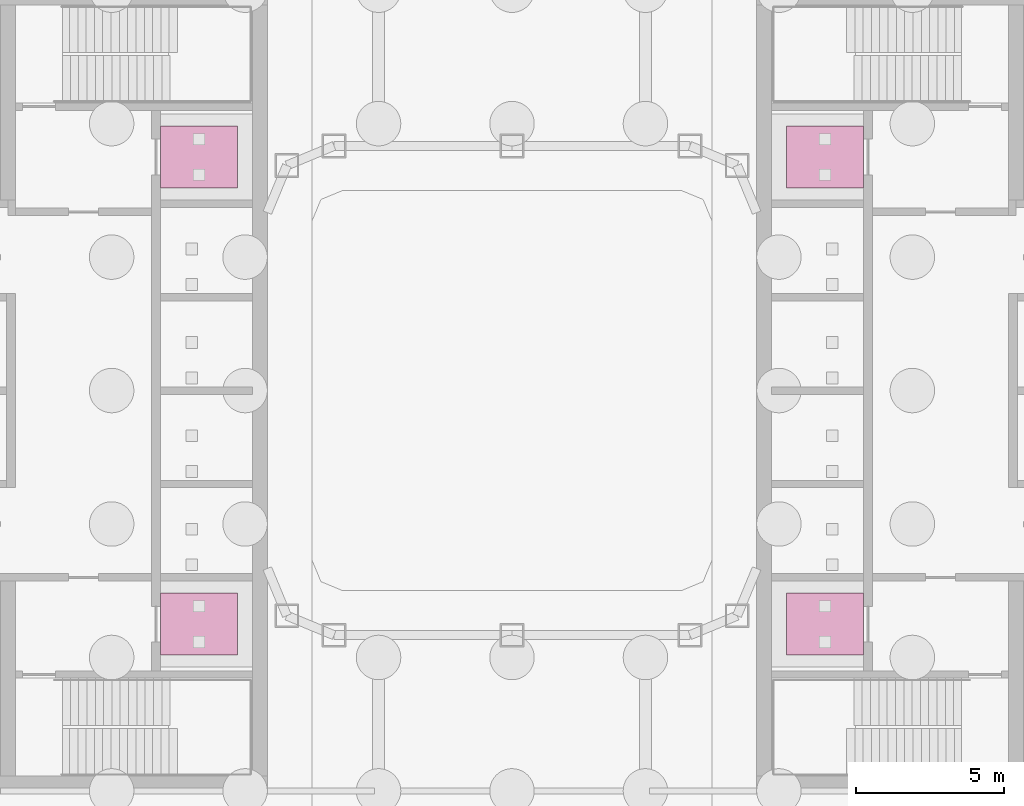
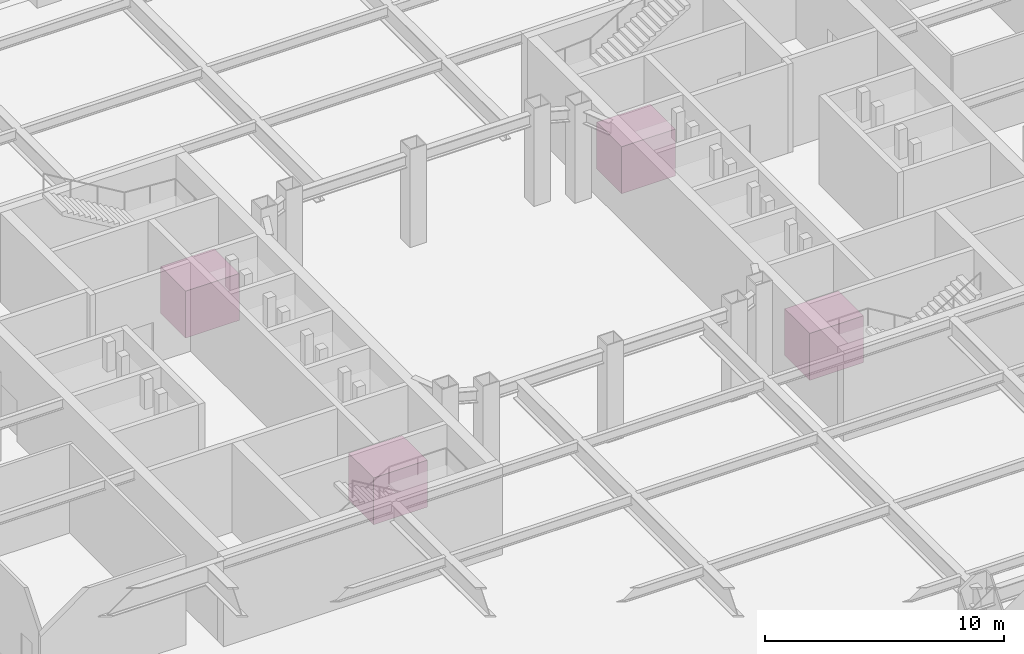
# One storey, part 10 of 10: 4 transport elements.
"""IFC4 building model written with IfcOpenShell, lengths in metres."""

from ifc_helpers import new_model, si_unit, direction, frame, origin, origin_2d, place, context, subcontext, project, spatial, rectangle, extrude, material, type_object, element, save


model = new_model("IFC4")

# Units and contexts
model_context = context("Model", 3, precision=1e-05, world=origin(), true_north=direction((0.0, 1.0)))
body_context = subcontext(model_context, "Body", "Model", "MODEL_VIEW")
ifc_project = project(units=[si_unit("LENGTHUNIT", "METRE"), si_unit("AREAUNIT", "SQUARE_METRE"), si_unit("VOLUMEUNIT", "CUBIC_METRE"), si_unit("PLANEANGLEUNIT", "RADIAN"), si_unit("MASSUNIT", "GRAM", prefix="KILO")], contexts=[model_context])

# Site, building, storey
site_placement = place(None, origin())
site = spatial("IfcSite", under=ifc_project, at=site_placement, CompositionType="ELEMENT")
building_placement = place(site_placement, origin())
building = spatial("IfcBuilding", under=site, at=building_placement, Name="Siwar Civic Tower", CompositionType="ELEMENT")
storey_placement = place(building_placement, frame((0.0, 0.0, -5.0)))
storey = spatial("IfcBuildingStorey", under=building, at=storey_placement, Name="B1", CompositionType="ELEMENT", Elevation=-5.0)

# Transport elements
ifc_material_1 = material(Name="Brushed stainless steel", Category="steel")
transport_element_type_1 = type_object("IfcTransportElementType", Name="CORE-LIFT-FF", PredefinedType="ELEVATOR", material=ifc_material_1)
for number, where, z_axis, x_axis, name in (
    (1, (-10.550048828125, 7.875, 0.0), (0.0, 0.0, 1.0), (1.0, 0.0, 0.0), "Lift FF1"),
    (2, (10.550048828125, 7.875, 0.0), (0.0, 0.0, 1.0), (1.0, 0.0, 0.0), "Lift FF2"),
):
    element("IfcTransportElement", number, at=place(storey_placement, frame(where, z_axis=z_axis, x_axis=x_axis)), inside=storey, type_object=transport_element_type_1, Name=name, PredefinedType="ELEVATOR", context=body_context, shape_type="SweptSolid", body=[
        extrude(rectangle(XDim=2.60009765625, YDim=2.10009765625, at=origin_2d()), origin(), (0.0, 0.0, 1.0), 2.39990234375),
    ])
ifc_material_2 = material(Name="Brushed stainless steel", Category="steel")
transport_element_type_2 = type_object("IfcTransportElementType", Name="CORE-LIFT-SV", PredefinedType="ELEVATOR", material=ifc_material_2)
for number, where, z_axis, x_axis, name in (
    (3, (-10.550048828125, -7.875, 0.0), (0.0, 0.0, 1.0), (1.0, 0.0, 0.0), "Lift SV1"),
    (4, (10.550048828125, -7.875, 0.0), (0.0, 0.0, 1.0), (1.0, 0.0, 0.0), "Lift SV2"),
):
    element("IfcTransportElement", number, at=place(storey_placement, frame(where, z_axis=z_axis, x_axis=x_axis)), inside=storey, type_object=transport_element_type_2, Name=name, PredefinedType="ELEVATOR", context=body_context, shape_type="SweptSolid", body=[
        extrude(rectangle(XDim=2.60009765625, YDim=2.10009765625, at=origin_2d()), origin(), (0.0, 0.0, 1.0), 2.39990234375),
    ])

save(model, "model.ifc")
